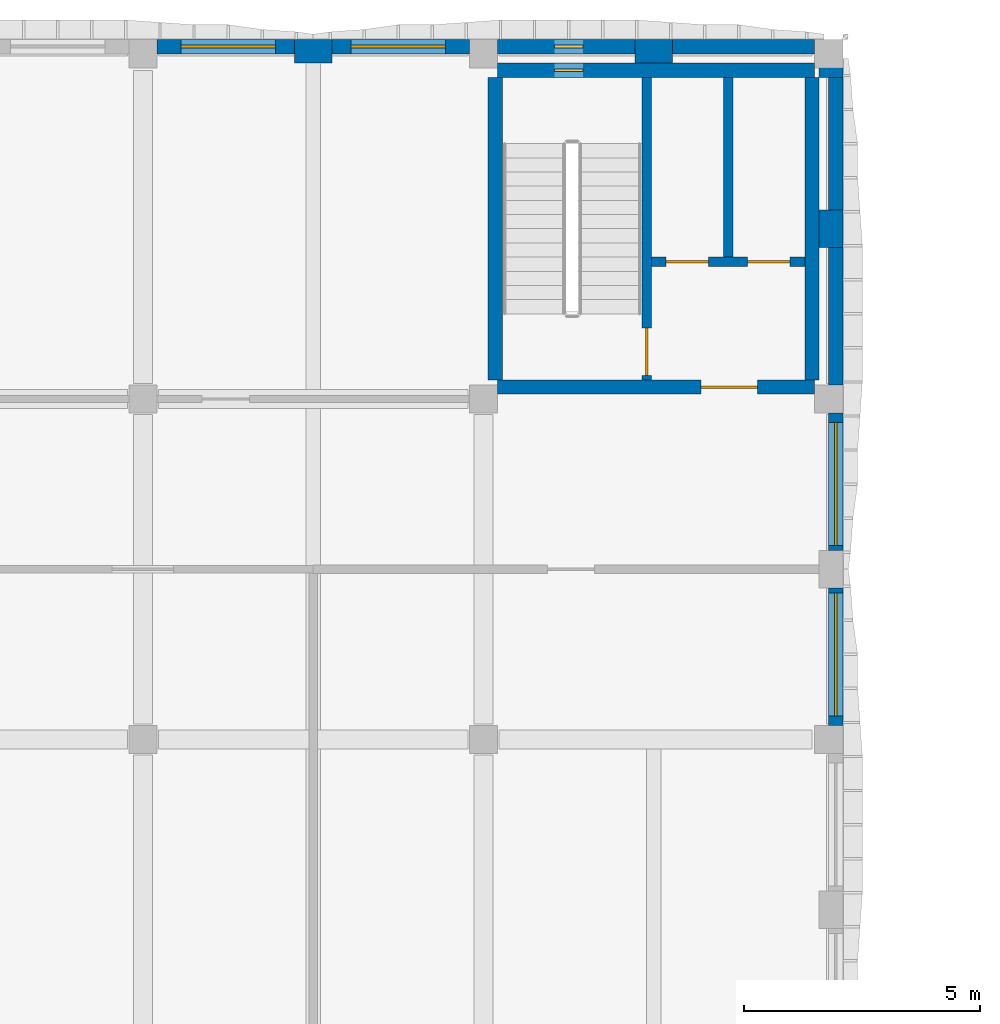
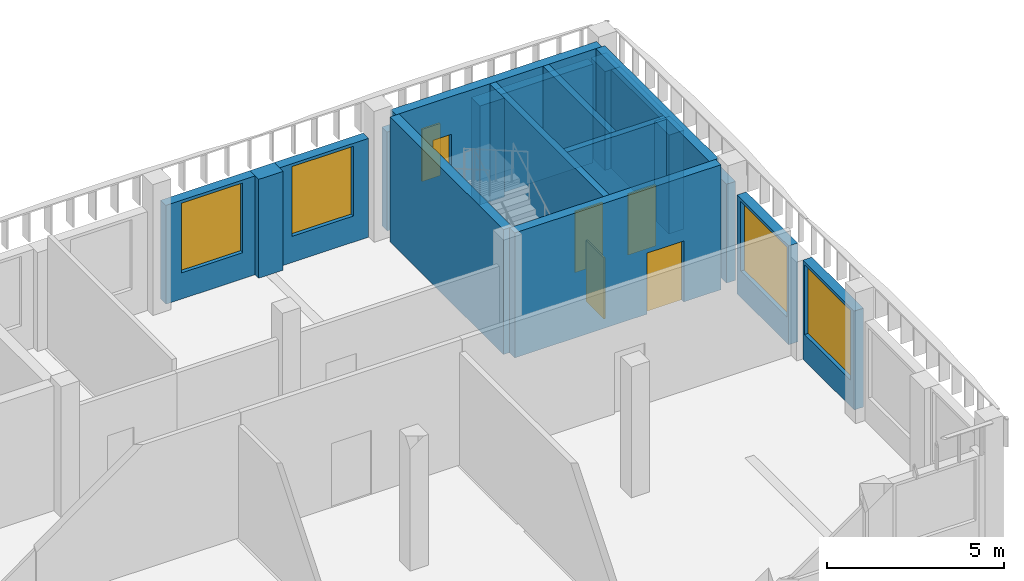
# One storey, part 21 of 44: 19 walls, 6 windows, 4 doors, 10 openings.
"""IFC4 building model written with IfcOpenShell, lengths in metres."""

from ifc_helpers import new_model, si_unit, direction, frame, frame_2d, origin, place, context, subcontext, project, spatial, rectangle, extrude, material, layer, layer_set, type_object, element, fill, save


model = new_model("IFC4")

# Units and contexts
model_context = context("Model", 3, precision=1e-05, world=origin(), true_north=direction((0.0, 1.0)))
body_context = subcontext(model_context, "Body", "Model", "MODEL_VIEW")
ifc_project = project(units=[si_unit("LENGTHUNIT", "METRE"), si_unit("AREAUNIT", "SQUARE_METRE"), si_unit("VOLUMEUNIT", "CUBIC_METRE"), si_unit("PLANEANGLEUNIT", "RADIAN"), si_unit("MASSUNIT", "GRAM", prefix="KILO")], contexts=[model_context])

# Site, building, storey
site_placement = place(None, origin())
site = spatial("IfcSite", under=ifc_project, at=site_placement, CompositionType="ELEMENT")
building_placement = place(site_placement, origin())
building = spatial("IfcBuilding", under=site, at=building_placement, Name="Ussher Court Research Institute", CompositionType="ELEMENT")
storey_placement = place(building_placement, frame((0.0, 0.0, 18.89990234375)))
storey = spatial("IfcBuildingStorey", under=building, at=storey_placement, Name="L04", CompositionType="ELEMENT", Elevation=18.89990234375)

# Wall, opening, window
ifc_material_1 = material(Name="Blockwork with cream render", Category="masonry")
ifc_layer_1 = layer(ifc_material_1, 0.300048828125)
ifc_layer_set_1 = layer_set([ifc_layer_1], Name="Blockwork with cream render")
wall_type_1 = type_object("IfcWallType", Name="External wall 300 cream render", PredefinedType="SOLIDWALL", material=ifc_layer_set_1)
wall_1_placement = place(storey_placement, frame((68.10009765625, 90.64990234375, 0.0), z_axis=(0.0, 0.0, 1.0), x_axis=(1.0, 0.0, 0.0)))
wall_1 = element("IfcWall", 1, at=wall_1_placement, inside=storey, type_object=wall_type_1, Name="External wall EW1 L04", PredefinedType="SOLIDWALL", context=body_context, shape_type="SweptSolid", body=[
    extrude(rectangle(XDim=2.89990234375, YDim=0.300048828125, at=frame_2d((1.449951171875, 0.0))), origin(), (0.0, 0.0, 1.0), 3.400146484375),
])
opening_1_placement = place(wall_1_placement, frame((0.5, 0.0, 0.89990234375)))
opening_1 = element("IfcOpeningElement", 2, at=opening_1_placement, cuts=wall_1, Name="Opening W14", PredefinedType="OPENING", context=body_context, shape_type="SweptSolid", body=[
    extrude(rectangle(XDim=2.0, YDim=2.39990234375, at=frame_2d((1.0, 1.199951171875))), frame((0.0, 0.16015625, 0.0), z_axis=(0.0, -1.0, 0.0), x_axis=(1.0, 0.0, 0.0)), (0.0, 0.0, 1.0), 0.320068359375),
])
ifc_material_2 = material(Name="Bronze anodised aluminium with double glazing", Category="aluminium")
window_type_1 = type_object("IfcWindowType", Name="Seminar and write-up office window 2000x2400", PartitioningType="DOUBLE_PANEL_VERTICAL", PredefinedType="WINDOW", material=ifc_material_2)
window_1_placement = place(opening_1_placement, origin())
window_1 = element("IfcWindow", 3, at=window_1_placement, inside=storey, type_object=window_type_1, Name="Window W14 L04", OverallHeight=2.39990234375, OverallWidth=2.0, PartitioningType="SINGLE_PANEL", PredefinedType="WINDOW", context=body_context, shape_type="SweptSolid", body=[
    extrude(rectangle(XDim=2.0, YDim=2.39990234375, at=frame_2d((1.0, 1.199951171875))), frame((0.0, 0.030029296875, 0.0), z_axis=(0.0, -1.0, 0.0), x_axis=(1.0, 0.0, 0.0)), (0.0, 0.0, 1.0), 0.06005859375),
])
fill(opening_1, window_1)

wall_2_placement = place(storey_placement, frame((71.800048828125, 90.64990234375, 0.0), z_axis=(0.0, 0.0, 1.0), x_axis=(1.0, 0.0, 0.0)))
wall_2 = element("IfcWall", 4, at=wall_2_placement, inside=storey, type_object=wall_type_1, Name="External wall EW1 L04", PredefinedType="SOLIDWALL", context=body_context, shape_type="SweptSolid", body=[
    extrude(rectangle(XDim=2.89990234375, YDim=0.300048828125, at=frame_2d((1.449951171875, 0.0))), origin(), (0.0, 0.0, 1.0), 3.400146484375),
])
opening_2_placement = place(wall_2_placement, frame((0.39990234375, 0.0, 0.89990234375)))
opening_2 = element("IfcOpeningElement", 5, at=opening_2_placement, cuts=wall_2, Name="Opening W14", PredefinedType="OPENING", context=body_context, shape_type="SweptSolid", body=[
    extrude(rectangle(XDim=2.0, YDim=2.39990234375, at=frame_2d((1.0, 1.199951171875))), frame((0.0, 0.16015625, 0.0), z_axis=(0.0, -1.0, 0.0), x_axis=(1.0, 0.0, 0.0)), (0.0, 0.0, 1.0), 0.320068359375),
])
window_2_placement = place(opening_2_placement, origin())
window_2 = element("IfcWindow", 6, at=window_2_placement, inside=storey, type_object=window_type_1, Name="Window W14 L04", OverallHeight=2.39990234375, OverallWidth=2.0, PartitioningType="SINGLE_PANEL", PredefinedType="WINDOW", context=body_context, shape_type="SweptSolid", body=[
    extrude(rectangle(XDim=2.0, YDim=2.39990234375, at=frame_2d((1.0, 1.199951171875))), frame((0.0, 0.030029296875, 0.0), z_axis=(0.0, -1.0, 0.0), x_axis=(1.0, 0.0, 0.0)), (0.0, 0.0, 1.0), 0.06005859375),
])
fill(opening_2, window_2)

wall_3_placement = place(storey_placement, frame((82.449951171875, 82.89990234375, 0.0), z_axis=(0.0, 0.0, 1.0), x_axis=(0.0, -1.0, 0.0)))
wall_3 = element("IfcWall", 7, at=wall_3_placement, inside=storey, type_object=wall_type_1, Name="External wall EW1 L04", PredefinedType="SOLIDWALL", context=body_context, shape_type="SweptSolid", body=[
    extrude(rectangle(XDim=2.89990234375, YDim=0.300048828125, at=frame_2d((1.449951171875, 0.0))), origin(), (0.0, 0.0, 1.0), 3.400146484375),
])
opening_3_placement = place(wall_3_placement, frame((0.199951171875, 0.0, 0.89990234375)))
opening_3 = element("IfcOpeningElement", 8, at=opening_3_placement, cuts=wall_3, Name="Opening W01", PredefinedType="OPENING", context=body_context, shape_type="SweptSolid", body=[
    extrude(rectangle(XDim=2.60009765625, YDim=2.39990234375, at=frame_2d((1.300048828125, 1.199951171875))), frame((0.0, 0.16015625, 0.0), z_axis=(0.0, -1.0, 0.0), x_axis=(1.0, 0.0, 0.0)), (0.0, 0.0, 1.0), 0.320068359375),
])
ifc_material_3 = material(Name="Bronze anodised aluminium with double glazing", Category="aluminium")
window_type_2 = type_object("IfcWindowType", Name="Laboratory bay window 2600x2400", PartitioningType="DOUBLE_PANEL_VERTICAL", PredefinedType="WINDOW", material=ifc_material_3)
window_3_placement = place(opening_3_placement, origin())
window_3 = element("IfcWindow", 9, at=window_3_placement, inside=storey, type_object=window_type_2, Name="Window W01 L04", OverallHeight=2.39990234375, OverallWidth=2.60009765625, PartitioningType="SINGLE_PANEL", PredefinedType="WINDOW", context=body_context, shape_type="SweptSolid", body=[
    extrude(rectangle(XDim=2.60009765625, YDim=2.39990234375, at=frame_2d((1.300048828125, 1.199951171875))), frame((0.0, 0.030029296875, 0.0), z_axis=(0.0, -1.0, 0.0), x_axis=(1.0, 0.0, 0.0)), (0.0, 0.0, 1.0), 0.06005859375),
])
fill(opening_3, window_3)

wall_4_placement = place(storey_placement, frame((82.449951171875, 79.199951171875, 0.0), z_axis=(0.0, 0.0, 1.0), x_axis=(0.0, -1.0, 0.0)))
wall_4 = element("IfcWall", 10, at=wall_4_placement, inside=storey, type_object=wall_type_1, Name="External wall EW1 L04", PredefinedType="SOLIDWALL", context=body_context, shape_type="SweptSolid", body=[
    extrude(rectangle(XDim=2.89990234375, YDim=0.300048828125, at=frame_2d((1.449951171875, 0.0))), origin(), (0.0, 0.0, 1.0), 3.400146484375),
])
opening_4_placement = place(wall_4_placement, frame((0.10009765625, 0.0, 0.89990234375)))
opening_4 = element("IfcOpeningElement", 11, at=opening_4_placement, cuts=wall_4, Name="Opening W01", PredefinedType="OPENING", context=body_context, shape_type="SweptSolid", body=[
    extrude(rectangle(XDim=2.60009765625, YDim=2.39990234375, at=frame_2d((1.300048828125, 1.199951171875))), frame((0.0, 0.16015625, 0.0), z_axis=(0.0, -1.0, 0.0), x_axis=(1.0, 0.0, 0.0)), (0.0, 0.0, 1.0), 0.320068359375),
])
window_4_placement = place(opening_4_placement, origin())
window_4 = element("IfcWindow", 12, at=window_4_placement, inside=storey, type_object=window_type_2, Name="Window W01 L04", OverallHeight=2.39990234375, OverallWidth=2.60009765625, PartitioningType="SINGLE_PANEL", PredefinedType="WINDOW", context=body_context, shape_type="SweptSolid", body=[
    extrude(rectangle(XDim=2.60009765625, YDim=2.39990234375, at=frame_2d((1.300048828125, 1.199951171875))), frame((0.0, 0.030029296875, 0.0), z_axis=(0.0, -1.0, 0.0), x_axis=(1.0, 0.0, 0.0)), (0.0, 0.0, 1.0), 0.06005859375),
])
fill(opening_4, window_4)

ifc_material_4 = material(Name="Limestone facing on blockwork", Category="masonry")
ifc_layer_2 = layer(ifc_material_4, 0.300048828125)
ifc_layer_set_2 = layer_set([ifc_layer_2], Name="Limestone facing on blockwork")
wall_type_2 = type_object("IfcWallType", Name="External wall 300 stair enclosure", PredefinedType="SOLIDWALL", material=ifc_layer_set_2)
wall_5_placement = place(storey_placement, frame((75.300048828125, 90.64990234375, 0.0), z_axis=(0.0, 0.0, 1.0), x_axis=(1.0, 0.0, 0.0)))
wall_5 = element("IfcWall", 13, at=wall_5_placement, inside=storey, type_object=wall_type_2, Name="External wall EW5 L04", PredefinedType="SOLIDWALL", context=body_context, shape_type="SweptSolid", body=[
    extrude(rectangle(XDim=2.89990234375, YDim=0.300048828125, at=frame_2d((1.449951171875, 0.0))), origin(), (0.0, 0.0, 1.0), 3.400146484375),
])
opening_5_placement = place(wall_5_placement, frame((1.199951171875, 0.0, 1.199951171875)))
opening_5 = element("IfcOpeningElement", 14, at=opening_5_placement, cuts=wall_5, Name="Opening W25", PredefinedType="OPENING", context=body_context, shape_type="SweptSolid", body=[
    extrude(rectangle(XDim=0.60009765625, YDim=1.800048828125, at=frame_2d((0.300048828125, 0.89990234375))), frame((0.0, 0.16015625, 0.0), z_axis=(0.0, -1.0, 0.0), x_axis=(1.0, 0.0, 0.0)), (0.0, 0.0, 1.0), 0.320068359375),
])
ifc_material_5 = material(Name="Bronze anodised aluminium with double glazing", Category="aluminium")
window_type_3 = type_object("IfcWindowType", Name="Stair light slot window 600x1800 fire-resisting glazing", PartitioningType="SINGLE_PANEL", PredefinedType="WINDOW", material=ifc_material_5)
window_5_placement = place(opening_5_placement, origin())
window_5 = element("IfcWindow", 15, at=window_5_placement, inside=storey, type_object=window_type_3, Name="Window W25 L04", OverallHeight=1.800048828125, OverallWidth=0.60009765625, PartitioningType="SINGLE_PANEL", PredefinedType="WINDOW", context=body_context, shape_type="SweptSolid", body=[
    extrude(rectangle(XDim=0.60009765625, YDim=1.800048828125, at=frame_2d((0.300048828125, 0.89990234375))), frame((0.0, 0.030029296875, 0.0), z_axis=(0.0, -1.0, 0.0), x_axis=(1.0, 0.0, 0.0)), (0.0, 0.0, 1.0), 0.06005859375),
])
fill(opening_5, window_5)

# Walls
wall_6_placement = place(storey_placement, frame((79.0, 90.64990234375, 0.0), z_axis=(0.0, 0.0, 1.0), x_axis=(1.0, 0.0, 0.0)))
element("IfcWall", 16, at=wall_6_placement, inside=storey, type_object=wall_type_2, Name="External wall EW5 L04", PredefinedType="SOLIDWALL", context=body_context, shape_type="SweptSolid", body=[
    extrude(rectangle(XDim=3.0, YDim=0.300048828125, at=frame_2d((1.5, 0.0))), origin(), (0.0, 0.0, 1.0), 3.400146484375),
])
wall_7_placement = place(storey_placement, frame((82.449951171875, 90.0, 0.0), z_axis=(0.0, 0.0, 1.0), x_axis=(0.0, -1.0, 0.0)))
element("IfcWall", 17, at=wall_7_placement, inside=storey, type_object=wall_type_2, Name="External wall EW5 L04", PredefinedType="SOLIDWALL", context=body_context, shape_type="SweptSolid", body=[
    extrude(rectangle(XDim=2.800048828125, YDim=0.300048828125, at=frame_2d((1.39990234375, 0.0))), origin(), (0.0, 0.0, 1.0), 3.400146484375),
])
wall_8_placement = place(storey_placement, frame((82.449951171875, 86.39990234375, 0.0), z_axis=(0.0, 0.0, 1.0), x_axis=(0.0, -1.0, 0.0)))
element("IfcWall", 18, at=wall_8_placement, inside=storey, type_object=wall_type_2, Name="External wall EW5 L04", PredefinedType="SOLIDWALL", context=body_context, shape_type="SweptSolid", body=[
    extrude(rectangle(XDim=2.89990234375, YDim=0.300048828125, at=frame_2d((1.449951171875, 0.0))), origin(), (0.0, 0.0, 1.0), 3.400146484375),
])
ifc_material_6 = material(Name="Blockwork with cream render", Category="masonry")
ifc_layer_3 = layer(ifc_material_6, 0.5)
ifc_layer_set_3 = layer_set([ifc_layer_3], Name="Blockwork with cream render")
wall_type_3 = type_object("IfcWallType", Name="Pier 800x500 cream render", PredefinedType="SOLIDWALL", material=ifc_layer_set_3)
for number, where, z_axis, x_axis, name in (
    (19, (71.0, 90.550048828125, 0.0), (0.0, 0.0, 1.0), (1.0, 0.0, 0.0), "Pier PR1 L04"),
    (20, (78.199951171875, 90.550048828125, 0.0), (0.0, 0.0, 1.0), (1.0, 0.0, 0.0), "Pier PR1 L04"),
    (21, (82.35009765625, 90.800048828125, 0.0), (0.0, 0.0, 1.0), (0.0, -1.0, 0.0), "Pier PR1 L04"),
    (22, (82.35009765625, 87.199951171875, 0.0), (0.0, 0.0, 1.0), (0.0, -1.0, 0.0), "Pier PR1 L04"),
):
    element("IfcWall", number, at=place(storey_placement, frame(where, z_axis=z_axis, x_axis=x_axis)), inside=storey, type_object=wall_type_3, Name=name, PredefinedType="SOLIDWALL", context=body_context, shape_type="SweptSolid", body=[
        extrude(rectangle(XDim=0.800048828125, YDim=0.5, at=frame_2d((0.39990234375, 0.0))), origin(), (0.0, 0.0, 1.0), 3.400146484375),
    ])

# Wall, opening, door
ifc_material_7 = material(Name="Concrete C35/45", Category="concrete")
ifc_layer_4 = layer(ifc_material_7, 0.199951171875)
ifc_layer_set_4 = layer_set([ifc_layer_4], Name="Concrete C35/45")
wall_type_4 = type_object("IfcWallType", Name="RC core wall 200", PredefinedType="SHEAR", material=ifc_layer_set_4)
wall_9_placement = place(storey_placement, frame((78.449951171875, 83.60009765625, 0.0), z_axis=(0.0, 0.0, 1.0), x_axis=(0.0, 1.0, 0.0)))
wall_9 = element("IfcWall", 23, at=wall_9_placement, inside=storey, type_object=wall_type_4, Name="Core wall D3", PredefinedType="SHEAR", context=body_context, shape_type="SweptSolid", body=[
    extrude(rectangle(XDim=6.39990234375, YDim=0.199951171875, at=frame_2d((3.199951171875, 0.0))), origin(), (0.0, 0.0, 1.0), 4.300048828125),
])
opening_6_placement = place(wall_9_placement, frame((0.10009765625, 0.0, 0.0)))
opening_6 = element("IfcOpeningElement", 24, at=opening_6_placement, cuts=wall_9, Name="Opening D04022", PredefinedType="OPENING", context=body_context, shape_type="SweptSolid", body=[
    extrude(rectangle(XDim=1.0, YDim=2.10009765625, at=frame_2d((0.5, 1.050048828125))), frame((0.0, 0.10986328125, 0.0), z_axis=(0.0, -1.0, 0.0), x_axis=(1.0, 0.0, 0.0)), (0.0, 0.0, 1.0), 0.219970703125),
])
ifc_material_8 = material(Name="Painted steel faced fire door", Category="steel")
door_type_1 = type_object("IfcDoorType", Name="Fire door 1000x2100 FD60", OperationType="NOTDEFINED", PredefinedType="DOOR", material=ifc_material_8)
door_1_placement = place(opening_6_placement, origin())
door_1 = element("IfcDoor", 25, at=door_1_placement, inside=storey, type_object=door_type_1, Name="Door D04022", OperationType="SINGLE_SWING_LEFT", OverallHeight=2.10009765625, OverallWidth=1.0, PredefinedType="DOOR", context=body_context, shape_type="SweptSolid", body=[
    extrude(rectangle(XDim=1.0, YDim=2.10009765625, at=frame_2d((0.5, 1.050048828125))), frame((0.0, 0.02490234375, 0.0), z_axis=(0.0, -1.0, 0.0), x_axis=(1.0, 0.0, 0.0)), (0.0, 0.0, 1.0), 0.050048828125),
])
fill(opening_6, door_1)

# Wall, openings, doors
wall_10_placement = place(storey_placement, frame((81.800048828125, 86.10009765625, 0.0), z_axis=(0.0, 0.0, 1.0), x_axis=(-1.0, 0.0, 0.0)))
wall_10 = element("IfcWall", 26, at=wall_10_placement, inside=storey, type_object=wall_type_4, Name="Core wall D3", PredefinedType="SHEAR", context=body_context, shape_type="SweptSolid", body=[
    extrude(rectangle(XDim=3.25, YDim=0.199951171875, at=frame_2d((1.625, 0.0))), origin(), (0.0, 0.0, 1.0), 4.300048828125),
])
opening_7_placement = place(wall_10_placement, frame((2.03759765625, 0.0, 0.0)))
opening_7 = element("IfcOpeningElement", 27, at=opening_7_placement, cuts=wall_10, Name="Opening D04023", PredefinedType="OPENING", context=body_context, shape_type="SweptSolid", body=[
    extrude(rectangle(XDim=0.89990234375, YDim=2.10009765625, at=frame_2d((0.449951171875, 1.050048828125))), frame((0.0, 0.10986328125, 0.0), z_axis=(0.0, -1.0, 0.0), x_axis=(1.0, 0.0, 0.0)), (0.0, 0.0, 1.0), 0.219970703125),
])
opening_8_placement = place(wall_10_placement, frame((0.3125, 0.0, 0.0)))
opening_8 = element("IfcOpeningElement", 28, at=opening_8_placement, cuts=wall_10, Name="Opening D04025", PredefinedType="OPENING", context=body_context, shape_type="SweptSolid", body=[
    extrude(rectangle(XDim=0.89990234375, YDim=2.10009765625, at=frame_2d((0.449951171875, 1.050048828125))), frame((0.0, 0.10986328125, 0.0), z_axis=(0.0, -1.0, 0.0), x_axis=(1.0, 0.0, 0.0)), (0.0, 0.0, 1.0), 0.219970703125),
])
ifc_material_9 = material(Name="Painted steel faced fire door", Category="steel")
door_type_2 = type_object("IfcDoorType", Name="Fire door 900x2100 FD60", OperationType="NOTDEFINED", PredefinedType="DOOR", material=ifc_material_9)
door_2_placement = place(opening_7_placement, origin())
door_2 = element("IfcDoor", 29, at=door_2_placement, inside=storey, type_object=door_type_2, Name="Door D04023", OperationType="SINGLE_SWING_RIGHT", OverallHeight=2.10009765625, OverallWidth=0.89990234375, PredefinedType="DOOR", context=body_context, shape_type="SweptSolid", body=[
    extrude(rectangle(XDim=0.89990234375, YDim=2.10009765625, at=frame_2d((0.449951171875, 1.050048828125))), frame((0.0, 0.02490234375, 0.0), z_axis=(0.0, -1.0, 0.0), x_axis=(1.0, 0.0, 0.0)), (0.0, 0.0, 1.0), 0.050048828125),
])
fill(opening_7, door_2)
door_3_placement = place(opening_8_placement, origin())
door_3 = element("IfcDoor", 30, at=door_3_placement, inside=storey, type_object=door_type_2, Name="Door D04025", OperationType="SINGLE_SWING_LEFT", OverallHeight=2.10009765625, OverallWidth=0.89990234375, PredefinedType="DOOR", context=body_context, shape_type="SweptSolid", body=[
    extrude(rectangle(XDim=0.89990234375, YDim=2.10009765625, at=frame_2d((0.449951171875, 1.050048828125))), frame((0.0, 0.02490234375, 0.0), z_axis=(0.0, -1.0, 0.0), x_axis=(1.0, 0.0, 0.0)), (0.0, 0.0, 1.0), 0.050048828125),
])
fill(opening_8, door_3)

# Wall
wall_11_placement = place(storey_placement, frame((80.175048828125, 86.199951171875, 0.0), z_axis=(0.0, 0.0, 1.0), x_axis=(0.0, 1.0, 0.0)))
element("IfcWall", 31, at=wall_11_placement, inside=storey, type_object=wall_type_4, Name="Core wall D3", PredefinedType="SHEAR", context=body_context, shape_type="SweptSolid", body=[
    extrude(rectangle(XDim=3.800048828125, YDim=0.199951171875, at=frame_2d((1.89990234375, 0.0))), origin(), (0.0, 0.0, 1.0), 4.300048828125),
])

# Wall, opening, door
ifc_material_10 = material(Name="Concrete C35/45", Category="concrete")
ifc_layer_5 = layer(ifc_material_10, 0.300048828125)
ifc_layer_set_5 = layer_set([ifc_layer_5], Name="Concrete C35/45")
wall_type_5 = type_object("IfcWallType", Name="RC core wall 300", PredefinedType="SHEAR", material=ifc_layer_set_5)
wall_12_placement = place(storey_placement, frame((75.300048828125, 83.449951171875, 0.0), z_axis=(0.0, 0.0, 1.0), x_axis=(1.0, 0.0, 0.0)))
wall_12 = element("IfcWall", 32, at=wall_12_placement, inside=storey, type_object=wall_type_5, Name="Core wall D3", PredefinedType="SHEAR", context=body_context, shape_type="SweptSolid", body=[
    extrude(rectangle(XDim=6.699951171875, YDim=0.300048828125, at=frame_2d((3.35009765625, 0.0))), origin(), (0.0, 0.0, 1.0), 4.300048828125),
])
opening_9_placement = place(wall_12_placement, frame((4.300048828125, 0.0, 0.0)))
opening_9 = element("IfcOpeningElement", 33, at=opening_9_placement, cuts=wall_12, Name="Opening D04024", PredefinedType="OPENING", context=body_context, shape_type="SweptSolid", body=[
    extrude(rectangle(XDim=1.199951171875, YDim=2.10009765625, at=frame_2d((0.60009765625, 1.050048828125))), frame((0.0, 0.16015625, 0.0), z_axis=(0.0, -1.0, 0.0), x_axis=(1.0, 0.0, 0.0)), (0.0, 0.0, 1.0), 0.320068359375),
])
ifc_material_11 = material(Name="Painted steel faced fire door", Category="steel")
door_type_3 = type_object("IfcDoorType", Name="Fire door 1200x2100 FD60", OperationType="NOTDEFINED", PredefinedType="DOOR", material=ifc_material_11)
door_4_placement = place(opening_9_placement, origin())
door_4 = element("IfcDoor", 34, at=door_4_placement, inside=storey, type_object=door_type_3, Name="Door D04024", OperationType="SINGLE_SWING_RIGHT", OverallHeight=2.10009765625, OverallWidth=1.199951171875, PredefinedType="DOOR", context=body_context, shape_type="SweptSolid", body=[
    extrude(rectangle(XDim=1.199951171875, YDim=2.10009765625, at=frame_2d((0.60009765625, 1.050048828125))), frame((0.0, 0.02490234375, 0.0), z_axis=(0.0, -1.0, 0.0), x_axis=(1.0, 0.0, 0.0)), (0.0, 0.0, 1.0), 0.050048828125),
])
fill(opening_9, door_4)

# Wall, opening, window
wall_13_placement = place(storey_placement, frame((75.300048828125, 90.14990234375, 0.0), z_axis=(0.0, 0.0, 1.0), x_axis=(1.0, 0.0, 0.0)))
wall_13 = element("IfcWall", 35, at=wall_13_placement, inside=storey, type_object=wall_type_5, Name="Core wall D3", PredefinedType="SHEAR", context=body_context, shape_type="SweptSolid", body=[
    extrude(rectangle(XDim=6.699951171875, YDim=0.300048828125, at=frame_2d((3.35009765625, 0.0))), origin(), (0.0, 0.0, 1.0), 4.300048828125),
])
opening_10_placement = place(wall_13_placement, frame((1.199951171875, 0.0, 1.199951171875)))
opening_10 = element("IfcOpeningElement", 36, at=opening_10_placement, cuts=wall_13, Name="Opening W25", PredefinedType="OPENING", context=body_context, shape_type="SweptSolid", body=[
    extrude(rectangle(XDim=0.60009765625, YDim=1.800048828125, at=frame_2d((0.300048828125, 0.89990234375))), frame((0.0, 0.16015625, 0.0), z_axis=(0.0, -1.0, 0.0), x_axis=(1.0, 0.0, 0.0)), (0.0, 0.0, 1.0), 0.320068359375),
])
window_6_placement = place(opening_10_placement, origin())
window_6 = element("IfcWindow", 37, at=window_6_placement, inside=storey, type_object=window_type_3, Name="Window stair light D3 L04", OverallHeight=1.800048828125, OverallWidth=0.60009765625, PartitioningType="SINGLE_PANEL", PredefinedType="WINDOW", context=body_context, shape_type="SweptSolid", body=[
    extrude(rectangle(XDim=0.60009765625, YDim=1.800048828125, at=frame_2d((0.300048828125, 0.89990234375))), frame((0.0, 0.030029296875, 0.0), z_axis=(0.0, -1.0, 0.0), x_axis=(1.0, 0.0, 0.0)), (0.0, 0.0, 1.0), 0.06005859375),
])
fill(opening_10, window_6)

# Walls
for number, where, z_axis, x_axis, name in (
    (38, (75.25, 83.60009765625, 0.0), (0.0, 0.0, 1.0), (0.0, 1.0, 0.0), "Core wall D3"),
    (39, (81.949951171875, 83.60009765625, 0.0), (0.0, 0.0, 1.0), (0.0, 1.0, 0.0), "Core wall D3"),
):
    element("IfcWall", number, at=place(storey_placement, frame(where, z_axis=z_axis, x_axis=x_axis)), inside=storey, type_object=wall_type_5, Name=name, PredefinedType="SHEAR", context=body_context, shape_type="SweptSolid", body=[
        extrude(rectangle(XDim=6.39990234375, YDim=0.300048828125, at=frame_2d((3.199951171875, 0.0))), origin(), (0.0, 0.0, 1.0), 4.300048828125),
    ])

save(model, "model.ifc")
